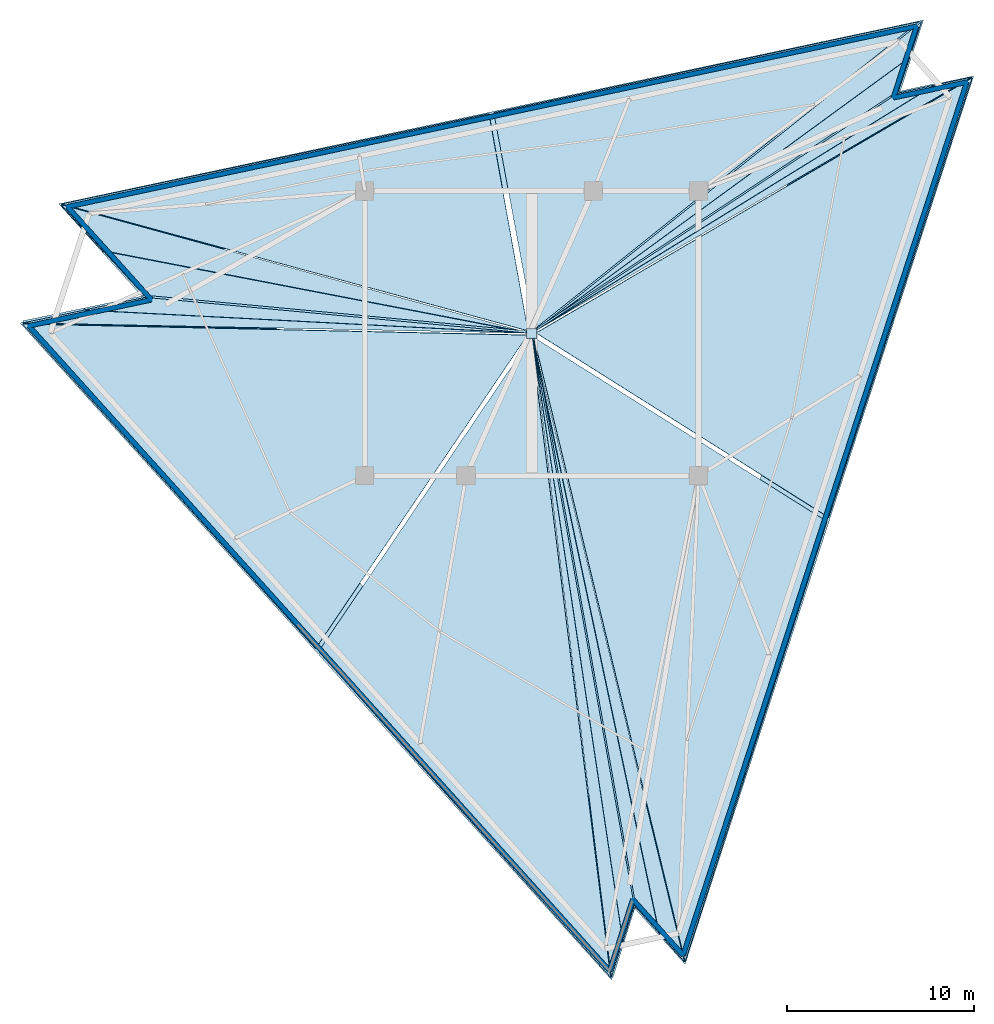
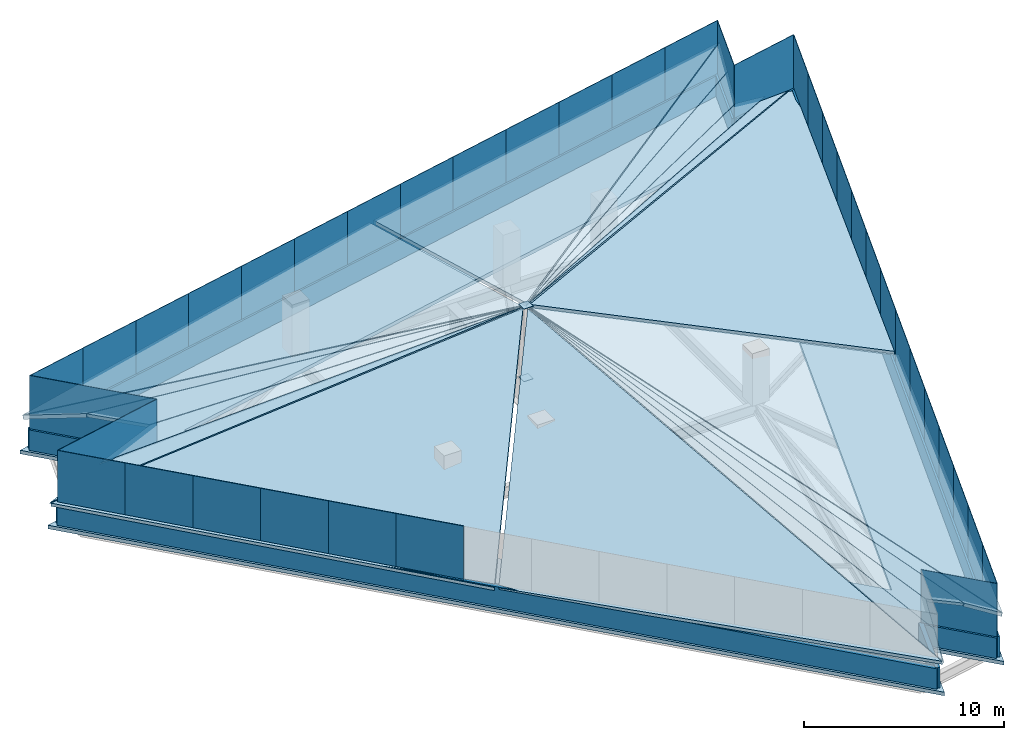
# One storey, part 2 of 2: 40 plates, 19 slabs, 9 walls.
"""IFC4 building model written with IfcOpenShell, lengths in metres."""

from ifc_helpers import new_model, si_unit, direction, frame, frame_2d, origin, origin_2d, place, context, subcontext, project, spatial, polyline, rectangle, outline, extrude, material, layer, layer_set, type_object, element, save


model = new_model("IFC4")

# Units and contexts
model_context = context("Model", 3, precision=1e-05, world=origin(), true_north=direction((0.0, 1.0)))
body_context = subcontext(model_context, "Body", "Model", "MODEL_VIEW")
ifc_project = project(units=[si_unit("LENGTHUNIT", "METRE"), si_unit("AREAUNIT", "SQUARE_METRE"), si_unit("VOLUMEUNIT", "CUBIC_METRE"), si_unit("PLANEANGLEUNIT", "RADIAN"), si_unit("MASSUNIT", "GRAM", prefix="KILO")], contexts=[model_context])

# Site, building, storey
site_placement = place(None, origin())
site = spatial("IfcSite", under=ifc_project, at=site_placement, CompositionType="ELEMENT")
building_placement = place(site_placement, origin())
building = spatial("IfcBuilding", under=site, at=building_placement, Name="Tharavind Bronze Gate", CompositionType="ELEMENT")
storey_placement = place(building_placement, frame((0.0, 0.0, 316.25)))
storey = spatial("IfcBuildingStorey", under=building, at=storey_placement, Name="RF", CompositionType="ELEMENT", Elevation=316.25)

# Plates
ifc_material_1 = material(Name="Perforated Bronze Alloy", Category="bronze")
ifc_layer_1 = layer(ifc_material_1, 0.011962890625)
ifc_layer_set_1 = layer_set([ifc_layer_1], Name="Perforated Bronze Alloy")
plate_type_1 = type_object("IfcPlateType", Name="BRONZE PERFORATED SOLAR SCREEN", PredefinedType="USERDEFINED", material=ifc_layer_set_1)
for number, where, z_axis, x_axis, name in (
    (1, (-22.52099609375, 4.2734375, 0.39990234375), (0.0, 0.0, 1.0), (0.66913190339, -0.743143657623, 0.0), "RF crown bronze lantern screen 1.1"),
    (2, (-23.552978515625, 1.096923828125, 0.39990234375), (0.0, 0.0, 1.0), (-0.978149052207, -0.207904862054, 0.0), "RF crown bronze lantern screen 2.1"),
):
    element("IfcPlate", number, at=place(storey_placement, frame(where, z_axis=z_axis, x_axis=x_axis)), inside=storey, type_object=plate_type_1, Name=name, ObjectType="SCREEN", PredefinedType="USERDEFINED", context=body_context, shape_type="SweptSolid", body=[
        extrude(rectangle(XDim=6.679931640625, YDim=0.028076171875, at=origin_2d()), origin(), (0.0, 0.0, 1.0), 4.10009765625),
    ])
for number, where, z_axis, x_axis, name in (
    (3, (-25.62841796875, -0.9208984375, 0.39990234375), (0.0, 0.0, 1.0), (0.669130606359, -0.743144825477, 0.0), "RF crown bronze lantern screen 3.1"),
    (4, (-23.24560546875, -3.5673828125, 0.39990234375), (0.0, 0.0, 1.0), (0.669130606359, -0.743144825477, 0.0), "RF crown bronze lantern screen 3.2"),
    (5, (-20.862548828125, -6.2138671875, 0.39990234375), (0.0, 0.0, 1.0), (0.669130606359, -0.743144825477, 0.0), "RF crown bronze lantern screen 3.3"),
    (6, (-18.479736328125, -8.8603515625, 0.39990234375), (0.0, 0.0, 1.0), (0.669130606359, -0.743144825477, 0.0), "RF crown bronze lantern screen 3.4"),
    (7, (-16.0966796875, -11.5068359375, 0.39990234375), (0.0, 0.0, 1.0), (0.669130606359, -0.743144825477, 0.0), "RF crown bronze lantern screen 3.5"),
    (8, (-13.7138671875, -14.153564453125, 0.39990234375), (0.0, 0.0, 1.0), (0.669130606359, -0.743144825477, 0.0), "RF crown bronze lantern screen 3.6"),
):
    element("IfcPlate", number, at=place(storey_placement, frame(where, z_axis=z_axis, x_axis=x_axis)), inside=storey, type_object=plate_type_1, Name=name, ObjectType="SCREEN", PredefinedType="USERDEFINED", context=body_context, shape_type="SweptSolid", body=[
        extrude(rectangle(XDim=3.561279296875, YDim=0.028076171875, at=origin_2d()), origin(), (0.0, 0.0, 1.0), 4.10009765625),
    ])
plate_placement = place(storey_placement, frame((6.73779296875, -31.679931640625, 0.39990234375), z_axis=(0.0, 0.0, 1.0), x_axis=(0.669137091495, -0.743138986183, 0.0)))
element("IfcPlate", 9, at=plate_placement, inside=storey, type_object=plate_type_1, Name="RF crown bronze lantern screen 5.1", ObjectType="SCREEN", PredefinedType="USERDEFINED", context=body_context, shape_type="SweptSolid", body=[
    extrude(rectangle(XDim=4.008056640625, YDim=0.028076171875, at=origin_2d()), origin(), (0.0, 0.0, 1.0), 4.10009765625),
])
for number, where, z_axis, x_axis, name in (
    (10, (8.619140625, -31.505859375, 0.39990234375), (0.0, 0.0, 1.0), (0.309016994375, 0.951056516295, 0.0), "RF crown bronze lantern screen 6.1"),
    (11, (9.7001953125, -28.179443359375, 0.39990234375), (0.0, 0.0, 1.0), (0.309016994375, 0.951056516295, 0.0), "RF crown bronze lantern screen 6.2"),
    (12, (10.781005859375, -24.852783203125, 0.39990234375), (0.0, 0.0, 1.0), (0.309016994375, 0.951056516295, 0.0), "RF crown bronze lantern screen 6.3"),
    (13, (11.86181640625, -21.5263671875, 0.39990234375), (0.0, 0.0, 1.0), (0.309016994375, 0.951056516295, 0.0), "RF crown bronze lantern screen 6.4"),
    (14, (12.942626953125, -18.19970703125, 0.39990234375), (0.0, 0.0, 1.0), (0.309016994375, 0.951056516295, 0.0), "RF crown bronze lantern screen 6.5"),
    (15, (14.023681640625, -14.873291015625, 0.39990234375), (0.0, 0.0, 1.0), (0.309016994375, 0.951056516295, 0.0), "RF crown bronze lantern screen 6.6"),
    (16, (15.1044921875, -11.546630859375, 0.39990234375), (0.0, 0.0, 1.0), (0.309016994375, 0.951056516295, 0.0), "RF crown bronze lantern screen 6.7"),
    (17, (16.185302734375, -8.22021484375, 0.39990234375), (0.0, 0.0, 1.0), (0.309016994375, 0.951056516295, 0.0), "RF crown bronze lantern screen 6.8"),
    (18, (17.26611328125, -4.8935546875, 0.39990234375), (0.0, 0.0, 1.0), (0.309016994375, 0.951056516295, 0.0), "RF crown bronze lantern screen 6.9"),
    (19, (18.346923828125, -1.56689453125, 0.39990234375), (0.0, 0.0, 1.0), (0.309016994375, 0.951056516295, 0.0), "RF crown bronze lantern screen 6.10"),
    (20, (19.427978515625, 1.759521484375, 0.39990234375), (0.0, 0.0, 1.0), (0.309016994375, 0.951056516295, 0.0), "RF crown bronze lantern screen 6.11"),
    (21, (20.5087890625, 5.086181640625, 0.39990234375), (0.0, 0.0, 1.0), (0.309016994375, 0.951056516295, 0.0), "RF crown bronze lantern screen 6.12"),
    (22, (21.589599609375, 8.41259765625, 0.39990234375), (0.0, 0.0, 1.0), (0.309016994375, 0.951056516295, 0.0), "RF crown bronze lantern screen 6.13"),
    (23, (22.67041015625, 11.7392578125, 0.39990234375), (0.0, 0.0, 1.0), (0.309016994375, 0.951056516295, 0.0), "RF crown bronze lantern screen 6.14"),
):
    element("IfcPlate", number, at=place(storey_placement, frame(where, z_axis=z_axis, x_axis=x_axis)), inside=storey, type_object=plate_type_1, Name=name, ObjectType="SCREEN", PredefinedType="USERDEFINED", context=body_context, shape_type="SweptSolid", body=[
        extrude(rectangle(XDim=3.497802734375, YDim=0.028076171875, at=origin_2d()), origin(), (0.0, 0.0, 1.0), 4.10009765625),
    ])
for number, where, z_axis, x_axis, name in (
    (24, (21.250732421875, 12.98583984375, 0.39990234375), (0.0, 0.0, 1.0), (-0.978147963607, -0.207909983628, 0.0), "RF crown bronze lantern screen 7.1"),
    (25, (19.909912109375, 14.47509765625, 0.39990234375), (0.0, 0.0, 1.0), (0.309003715091, 0.951060830894, 0.0), "RF crown bronze lantern screen 8.1"),
):
    element("IfcPlate", number, at=place(storey_placement, frame(where, z_axis=z_axis, x_axis=x_axis)), inside=storey, type_object=plate_type_1, Name=name, ObjectType="SCREEN", PredefinedType="USERDEFINED", context=body_context, shape_type="SweptSolid", body=[
        extrude(rectangle(XDim=4.008056640625, YDim=0.028076171875, at=origin_2d()), origin(), (0.0, 0.0, 1.0), 4.10009765625),
    ])
for number, where, z_axis, x_axis, name in (
    (26, (18.787353515625, 16.010986328125, 0.39990234375), (0.0, 0.0, 1.0), (-0.978147600734, -0.207911690818, 0.0), "RF crown bronze lantern screen 9.1"),
    (27, (15.3037109375, 15.2705078125, 0.39990234375), (0.0, 0.0, 1.0), (-0.978147600734, -0.207911690818, 0.0), "RF crown bronze lantern screen 9.2"),
    (28, (11.8203125, 14.530029296875, 0.39990234375), (0.0, 0.0, 1.0), (-0.978147600734, -0.207911690818, 0.0), "RF crown bronze lantern screen 9.3"),
    (29, (8.3369140625, 13.78955078125, 0.39990234375), (0.0, 0.0, 1.0), (-0.978147600734, -0.207911690818, 0.0), "RF crown bronze lantern screen 9.4"),
    (30, (4.853515625, 13.04931640625, 0.39990234375), (0.0, 0.0, 1.0), (-0.978147600734, -0.207911690818, 0.0), "RF crown bronze lantern screen 9.5"),
    (31, (1.3701171875, 12.30859375, 0.39990234375), (0.0, 0.0, 1.0), (-0.978147600734, -0.207911690818, 0.0), "RF crown bronze lantern screen 9.6"),
    (32, (-2.11328125, 11.568359375, 0.39990234375), (0.0, 0.0, 1.0), (-0.978147600734, -0.207911690818, 0.0), "RF crown bronze lantern screen 9.7"),
    (33, (-5.5966796875, 10.827880859375, 0.39990234375), (0.0, 0.0, 1.0), (-0.978147600734, -0.207911690818, 0.0), "RF crown bronze lantern screen 9.8"),
    (34, (-9.080322265625, 10.08740234375, 0.39990234375), (0.0, 0.0, 1.0), (-0.978147600734, -0.207911690818, 0.0), "RF crown bronze lantern screen 9.9"),
    (35, (-12.563720703125, 9.346923828125, 0.39990234375), (0.0, 0.0, 1.0), (-0.978147600734, -0.207911690818, 0.0), "RF crown bronze lantern screen 9.10"),
    (36, (-16.047119140625, 8.606689453125, 0.39990234375), (0.0, 0.0, 1.0), (-0.978147600734, -0.207911690818, 0.0), "RF crown bronze lantern screen 9.11"),
    (37, (-19.530517578125, 7.8662109375, 0.39990234375), (0.0, 0.0, 1.0), (-0.978147600734, -0.207911690818, 0.0), "RF crown bronze lantern screen 9.12"),
    (38, (-23.01416015625, 7.125732421875, 0.39990234375), (0.0, 0.0, 1.0), (-0.978147600734, -0.207911690818, 0.0), "RF crown bronze lantern screen 9.13"),
):
    element("IfcPlate", number, at=place(storey_placement, frame(where, z_axis=z_axis, x_axis=x_axis)), inside=storey, type_object=plate_type_1, Name=name, ObjectType="SCREEN", PredefinedType="USERDEFINED", context=body_context, shape_type="SweptSolid", body=[
        extrude(rectangle(XDim=3.561279296875, YDim=0.028076171875, at=origin_2d()), origin(), (0.0, 0.0, 1.0), 4.10009765625),
    ])
ifc_material_2 = material(Name="Steel S355", Category="steel")
ifc_layer_2 = layer(ifc_material_2, 0.02490234375)
ifc_layer_set_2 = layer_set([ifc_layer_2], Name="Steel S355")
plate_type_2 = type_object("IfcPlateType", Name="STEEL END CAP SHEET S355 25", PredefinedType="SHEET", material=ifc_layer_set_2)
for number, where, z_axis, x_axis, name in (
    (39, (0.0, 0.0, -0.232421875), (0.0, 0.0, 1.0), (1.0, 0.0, 0.0), "Steel end cap plate CAP-RF-APXCA"),
    (40, (0.0, 0.0, 4.20751953125), (0.0, 0.0, 1.0), (1.0, 0.0, 0.0), "Steel end cap plate CAP-RF-APXCB"),
):
    element("IfcPlate", number, at=place(storey_placement, frame(where, z_axis=z_axis, x_axis=x_axis)), inside=storey, type_object=plate_type_2, Name=name, PredefinedType="SHEET", context=body_context, shape_type="SweptSolid", body=[
        extrude(rectangle(XDim=0.544921875, YDim=0.544921875, at=origin_2d()), origin(), (0.0, 0.0, 1.0), 0.02490234375),
    ])

# Slabs
ifc_material_3 = material(Name="Concrete C40/50", Category="concrete")
ifc_layer_3 = layer(ifc_material_3, 0.219970703125)
ifc_layer_set_3 = layer_set([ifc_layer_3], Name="Concrete C40/50")
slab_type = type_object("IfcSlabType", Name="WAVE CREST ROOF SLAB 220", PredefinedType="ROOF", material=ifc_layer_set_3)
slab_1_placement = place(storey_placement, frame((0.0, 0.0, -0.219970703125)))
element("IfcSlab", 41, at=slab_1_placement, inside=storey, type_object=slab_type, Name="RF perimeter crown roof curb slab", PredefinedType="ROOF", context=body_context, shape_type="SweptSolid", body=[
    extrude(outline(polyline([(-25.231201171875, 6.909912109375), (-20.761474609375, 1.94580078125), (-27.29541015625, 0.556884765625), (4.262451171875, -34.49169921875), (5.5009765625, -30.6796875), (8.182861328125, -33.658203125), (23.58251953125, 13.737060546875), (19.662109375, 12.90380859375), (20.900634765625, 16.7158203125), (-25.231201171875, 6.909912109375)]), holes=[polyline([(14.658203125, 11.094970703125), (13.419921875, 7.283203125), (17.340087890625, 8.116455078125), (6.436279296875, -25.44189453125), (3.75439453125, -22.46337890625), (2.515869140625, -26.275146484375), (-19.306640625, -2.038818359375), (-12.772705078125, -0.64990234375), (-17.242431640625, 4.314208984375), (14.658203125, 11.094970703125)])]), origin(), (0.0, 0.0, 1.0), 0.219970703125),
])
slab_2_placement = place(storey_placement, frame((-0.233154296875, 0.0546875, 4.18359375), z_axis=(0.007915215347, 0.317098176686, 0.948359686885), x_axis=(-0.96139593173, 0.263280505319, -0.080007736947)))
element("IfcSlab", 42, at=slab_2_placement, inside=storey, type_object=slab_type, Name="RF wave crest canopy roof facet 01", PredefinedType="ROOF", context=body_context, shape_type="SweptSolid", body=[
    extrude(outline(polyline([(0.0, 0.0), (25.85504345645657, -5.551115123125783e-16), (22.990208642521996, 1.8589763958864596), (0.0, 0.0)])), origin(), (0.0, 0.0, -1.0), 0.219970703125),
])
slab_3_placement = place(storey_placement, frame((-0.237060546875, 0.034423828125, 4.186279296875), z_axis=(-0.064509992346, -0.04489531564, 0.996906651358), x_axis=(-0.980484555437, 0.188761535972, -0.054946511144)))
element("IfcSlab", 43, at=slab_3_placement, inside=storey, type_object=slab_type, Name="RF wave crest canopy roof facet 02", PredefinedType="ROOF", context=body_context, shape_type="SweptSolid", body=[
    extrude(outline(polyline([(0.0, 0.0), (23.064867231560378, 2.7755575615628914e-17), (20.406461276492514, 1.9736911738115093), (0.0, 0.0)])), origin(), (0.0, 0.0, -1.0), 0.219970703125),
])
slab_4_placement = place(storey_placement, frame((-0.23876953125, 0.01708984375, 4.1826171875), z_axis=(-0.098832310225, -0.49875553391, 0.861089479584), x_axis=(-0.993845277825, 0.092984685327, -0.060211394597)))
element("IfcSlab", 44, at=slab_4_placement, inside=storey, type_object=slab_type, Name="RF wave crest canopy roof facet 03", PredefinedType="ROOF", context=body_context, shape_type="SweptSolid", body=[
    extrude(outline(polyline([(0.0, 0.0), (20.500687756282865, 0.0), (23.73004386386756, 1.131813393310788), (0.0, 0.0)])), origin(), (0.0, 0.0, -1.0), 0.219970703125),
])
slab_5_placement = place(storey_placement, frame((-0.23876953125, 0.00830078125, 4.17724609375), z_axis=(-0.098831971677, -0.544525194442, 0.832901287064), x_axis=(-0.995100217663, 0.051732221742, -0.0842575459)))
element("IfcSlab", 45, at=slab_5_placement, inside=storey, type_object=slab_type, Name="RF wave crest canopy roof facet 04", PredefinedType="ROOF", context=body_context, shape_type="SweptSolid", body=[
    extrude(outline(polyline([(0.0, 0.0), (23.757029272413888, 2.220446049250313e-16), (27.043054253825492, 1.014971412063449), (0.0, 0.0)])), origin(), (0.0, 0.0, -1.0), 0.219970703125),
])
slab_6_placement = place(storey_placement, frame((-0.218994140625, -0.092529296875, 4.1669921875), z_axis=(-0.106257937244, -0.102742221297, 0.989016322785), x_axis=(-0.994279382681, 0.02183377691, -0.104555226366)))
element("IfcSlab", 46, at=slab_6_placement, inside=storey, type_object=slab_type, Name="RF wave crest canopy roof facet 05", PredefinedType="ROOF", context=body_context, shape_type="SweptSolid", body=[
    extrude(outline(polyline([(0.0, 0.0), (27.093467924328237, -1.1102230246251565e-16), (11.19477007738922, 17.065386158451624), (0.0, 0.0)])), origin(), (0.0, 0.0, -1.0), 0.219970703125),
])
slab_7_placement = place(storey_placement, frame((-0.033203125, -0.236328125, 4.17529296875), z_axis=(-0.132659355143, -0.08455110993, 0.98754878629), x_axis=(-0.55490866287, -0.819233410955, -0.144682390937)))
element("IfcSlab", 47, at=slab_7_placement, inside=storey, type_object=slab_type, Name="RF wave crest canopy roof facet 06", PredefinedType="ROOF", context=body_context, shape_type="SweptSolid", body=[
    extrude(outline(polyline([(0.0, 0.0), (20.426274728276248, -6.38378239159465e-16), (25.93494322818575, 22.688414584216066), (0.0, 0.0)])), origin(), (0.0, 0.0, -1.0), 0.219970703125),
])
slab_8_placement = place(storey_placement, frame((0.032470703125, -0.2373046875, 4.185302734375), z_axis=(-0.456770385743, -0.117303670402, 0.881816683681), x_axis=(0.122369948298, -0.990129875323, -0.068325879038)))
element("IfcSlab", 48, at=slab_8_placement, inside=storey, type_object=slab_type, Name="RF wave crest canopy roof facet 07", PredefinedType="ROOF", context=body_context, shape_type="SweptSolid", body=[
    extrude(outline(polyline([(0.0, 0.0), (34.44544963242663, -6.661338147750939e-16), (32.595249760209164, 0.9465990804553644), (0.0, 0.0)])), origin(), (0.0, 0.0, -1.0), 0.219970703125),
])
slab_9_placement = place(storey_placement, frame((0.038818359375, -0.236572265625, 4.188232421875), z_axis=(-0.368612568897, -0.106403070771, 0.923473421698), x_axis=(0.147950134132, -0.987479734884, -0.0547223081)))
element("IfcSlab", 49, at=slab_9_placement, inside=storey, type_object=slab_type, Name="RF wave crest canopy roof facet 08", PredefinedType="ROOF", context=body_context, shape_type="SweptSolid", body=[
    extrude(outline(polyline([(0.0, 0.0), (32.60870913660593, -7.771561172376096e-16), (30.793210112740805, 0.9534883977461507), (0.0, 0.0)])), origin(), (0.0, 0.0, -1.0), 0.219970703125),
])
slab_10_placement = place(storey_placement, frame((0.046142578125, -0.2353515625, 4.190673828125), z_axis=(-0.22906161104, -0.08340226716, 0.969832377362), x_axis=(0.176370028993, -0.983388120408, -0.042911740969)))
element("IfcSlab", 50, at=slab_10_placement, inside=storey, type_object=slab_type, Name="RF wave crest canopy roof facet 09", PredefinedType="ROOF", context=body_context, shape_type="SweptSolid", body=[
    extrude(outline(polyline([(0.0, 0.0), (30.80792003623852, -1.0547118733938987e-15), (32.50088123096201, 1.0739286781168425), (0.0, 0.0)])), origin(), (0.0, 0.0, -1.0), 0.219970703125),
])
slab_11_placement = place(storey_placement, frame((0.053466796875, -0.23388671875, 4.19140625), z_axis=(0.102181488201, -0.013841240884, 0.994669474509), x_axis=(0.207933337397, -0.977517923014, -0.034963372049)))
element("IfcSlab", 51, at=slab_11_placement, inside=storey, type_object=slab_type, Name="RF wave crest canopy roof facet 10", PredefinedType="ROOF", context=body_context, shape_type="SweptSolid", body=[
    extrude(outline(polyline([(0.0, 0.0), (32.51868524132534, -1.3877787807814457e-17), (34.25903466657927, 0.9935251274602628), (0.0, 0.0)])), origin(), (0.0, 0.0, -1.0), 0.219970703125),
])
slab_12_placement = place(storey_placement, frame((0.115478515625, -0.20947265625, 4.181884765625), z_axis=(0.150969520561, -0.00172809255, 0.988536907534), x_axis=(0.235253440772, -0.971205499538, -0.037625739483)))
element("IfcSlab", 52, at=slab_12_placement, inside=storey, type_object=slab_type, Name="RF wave crest canopy roof facet 11", PredefinedType="ROOF", context=body_context, shape_type="SweptSolid", body=[
    extrude(outline(polyline([(0.0, 0.0), (34.28607863199977, 5.551115123125783e-16), (13.312555799101636, 13.026100213400387), (0.0, 0.0)])), origin(), (0.0, 0.0, -1.0), 0.219970703125),
])
slab_13_placement = place(storey_placement, frame((0.23681640625, 0.022705078125, 4.1669921875), z_axis=(0.139472235533, -0.020421545576, 0.990015381695), x_axis=(0.838930123431, -0.528707041817, -0.129093423279)))
element("IfcSlab", 53, at=slab_13_placement, inside=storey, type_object=slab_type, Name="RF wave crest canopy roof facet 12", PredefinedType="ROOF", context=body_context, shape_type="SweptSolid", body=[
    extrude(outline(polyline([(0.0, 0.0), (18.607451474816983, 3.802513859341161e-15), (12.701329724226204, 23.940468050489663), (0.0, 0.0)])), origin(), (0.0, 0.0, -1.0), 0.219970703125),
])
slab_14_placement = place(storey_placement, frame((0.20458984375, 0.12255859375, 4.173583984375), z_axis=(0.129617717943, -0.003155593359, 0.991559019638), x_axis=(0.858775809352, 0.500256614742, -0.110668101453)))
element("IfcSlab", 54, at=slab_14_placement, inside=storey, type_object=slab_type, Name="RF wave crest canopy roof facet 13", PredefinedType="ROOF", context=body_context, shape_type="SweptSolid", body=[
    extrude(outline(polyline([(0.0, 0.0), (27.070579236850854, -2.7755575615628914e-16), (25.150776400911447, 0.6171455119513382), (0.0, 0.0)])), origin(), (0.0, 0.0, -1.0), 0.219970703125),
])
slab_15_placement = place(storey_placement, frame((0.201416015625, 0.1279296875, 4.17529296875), z_axis=(0.296141165598, -0.2905314253, 0.909885652679), x_axis=(0.846324964252, 0.521402088327, -0.108967505115)))
element("IfcSlab", 55, at=slab_15_placement, inside=storey, type_object=slab_type, Name="RF wave crest canopy roof facet 14", PredefinedType="ROOF", context=body_context, shape_type="SweptSolid", body=[
    extrude(outline(polyline([(0.0, 0.0), (25.15846421584784, 6.661338147750939e-16), (23.227313068945865, 0.7215592818601866), (0.0, 0.0)])), origin(), (0.0, 0.0, -1.0), 0.219970703125),
])
slab_16_placement = place(storey_placement, frame((0.196533203125, 0.136474609375, 4.180419921875), z_axis=(0.342840469592, -0.369887625229, 0.863506547232), x_axis=(0.832091257617, 0.54619679158, -0.09640126485)))
element("IfcSlab", 56, at=slab_16_placement, inside=storey, type_object=slab_type, Name="RF wave crest canopy roof facet 15", PredefinedType="ROOF", context=body_context, shape_type="SweptSolid", body=[
    extrude(outline(polyline([(0.0, 0.0), (23.238640888077587, -8.881784197001252e-16), (24.740541331767673, 1.4188838127467414), (0.0, 0.0)])), origin(), (0.0, 0.0, -1.0), 0.219970703125),
])
slab_17_placement = place(storey_placement, frame((0.190185546875, 0.1455078125, 4.186279296875), z_axis=(0.294958138834, -0.299229414935, 0.907447769061), x_axis=(0.805693725667, 0.588433647262, -0.067848826009)))
element("IfcSlab", 57, at=slab_17_placement, inside=storey, type_object=slab_type, Name="RF wave crest canopy roof facet 16", PredefinedType="ROOF", context=body_context, shape_type="SweptSolid", body=[
    extrude(outline(polyline([(0.0, 0.0), (24.78151182971998, 7.771561172376096e-16), (26.37329569639446, 1.2690530620732736), (0.0, 0.0)])), origin(), (0.0, 0.0, -1.0), 0.219970703125),
])
slab_18_placement = place(storey_placement, frame((0.13134765625, 0.2001953125, 4.182373046875), z_axis=(-0.019046906705, 0.100065456285, 0.994798532268), x_axis=(0.781061599293, 0.622631404566, -0.047675068513)))
element("IfcSlab", 58, at=slab_18_placement, inside=storey, type_object=slab_type, Name="RF wave crest canopy roof facet 17", PredefinedType="ROOF", context=body_context, shape_type="SweptSolid", body=[
    extrude(outline(polyline([(0.0, 0.0), (26.4188709874899, -1.8041124150158794e-16), (5.582062798961713, 10.433611267609873), (0.0, 0.0)])), origin(), (0.0, 0.0, -1.0), 0.219970703125),
])
slab_19_placement = place(storey_placement, frame((-0.197265625, 0.134765625, 4.176025390625), z_axis=(-0.057273144212, 0.092970347467, 0.994020272149), x_axis=(-0.176237586577, 0.979077068903, -0.101727116476)))
element("IfcSlab", 59, at=slab_19_placement, inside=storey, type_object=slab_type, Name="RF wave crest canopy roof facet 18", PredefinedType="ROOF", context=body_context, shape_type="SweptSolid", body=[
    extrude(outline(polyline([(0.0, 0.0), (11.831784119517186, 3.122502256758253e-16), (11.223261979376641, 23.310293772595283), (0.0, 0.0)])), origin(), (0.0, 0.0, -1.0), 0.219970703125),
])

# Walls
ifc_layer_4 = layer(ifc_material_3, 0.25)
ifc_layer_set_4 = layer_set([ifc_layer_4], Name="Concrete C40/50")
wall_type = type_object("IfcWallType", Name="ROOF PARAPET WALL 250", PredefinedType="PARAPET", material=ifc_layer_set_4)
for number, where, z_axis, x_axis, name in (
    (60, (-24.755859375, 6.755615234375, 0.0), (0.0, 0.0, 1.0), (0.669134323402, -0.74314147862, 0.0), "RF crown perimeter parapet wall 01"),
    (61, (-20.285888671875, 1.791259765625, 0.0), (0.0, 0.0, 1.0), (-0.978154020652, -0.207881485184, 0.0), "RF crown perimeter parapet wall 02"),
):
    element("IfcWall", number, at=place(storey_placement, frame(where, z_axis=z_axis, x_axis=x_axis)), inside=storey, type_object=wall_type, Name=name, PredefinedType="PARAPET", context=body_context, shape_type="SweptSolid", body=[
        extrude(rectangle(XDim=6.68017578125, YDim=0.25, at=frame_2d((3.340087890625, 0.0))), origin(), (0.0, 0.0, 1.0), 1.25),
    ])
wall_1_placement = place(storey_placement, frame((-26.820068359375, 0.402587890625, 0.0), z_axis=(0.0, 0.0, 1.0), x_axis=(0.669131657311, -0.743143879195, 0.0)))
element("IfcWall", 62, at=wall_1_placement, inside=storey, type_object=wall_type, Name="RF crown perimeter parapet wall 03", PredefinedType="PARAPET", context=body_context, shape_type="SweptSolid", body=[
    extrude(rectangle(XDim=46.296630859375, YDim=0.25, at=frame_2d((23.1484375, 0.0))), origin(), (0.0, 0.0, 1.0), 1.25),
])
wall_2_placement = place(storey_placement, frame((4.158447265625, -34.00244140625, 0.0), z_axis=(0.0, 0.0, 1.0), x_axis=(0.309018580232, 0.951056001018, 0.0)))
element("IfcWall", 63, at=wall_2_placement, inside=storey, type_object=wall_type, Name="RF crown perimeter parapet wall 04", PredefinedType="PARAPET", context=body_context, shape_type="SweptSolid", body=[
    extrude(rectangle(XDim=4.0078125, YDim=0.25, at=frame_2d((2.00390625, 0.0))), origin(), (0.0, 0.0, 1.0), 1.25),
])
wall_3_placement = place(storey_placement, frame((5.39697265625, -30.190673828125, 0.0), z_axis=(0.0, 0.0, 1.0), x_axis=(0.669132983361, -0.743142685208, 0.0)))
element("IfcWall", 64, at=wall_3_placement, inside=storey, type_object=wall_type, Name="RF crown perimeter parapet wall 05", PredefinedType="PARAPET", context=body_context, shape_type="SweptSolid", body=[
    extrude(rectangle(XDim=4.008056640625, YDim=0.25, at=frame_2d((2.00390625, 0.0))), origin(), (0.0, 0.0, 1.0), 1.25),
])
wall_4_placement = place(storey_placement, frame((8.078857421875, -33.169189453125, 0.0), z_axis=(0.0, 0.0, 1.0), x_axis=(0.309016852711, 0.951056562325, 0.0)))
element("IfcWall", 65, at=wall_4_placement, inside=storey, type_object=wall_type, Name="RF crown perimeter parapet wall 06", PredefinedType="PARAPET", context=body_context, shape_type="SweptSolid", body=[
    extrude(rectangle(XDim=48.968505859375, YDim=0.25, at=frame_2d((24.484375, 0.0))), origin(), (0.0, 0.0, 1.0), 1.25),
])
for number, where, z_axis, x_axis, name in (
    (66, (23.2109375, 13.402587890625, 0.0), (0.0, 0.0, 1.0), (-0.978138101629, -0.207956375574, 0.0), "RF crown perimeter parapet wall 07"),
    (67, (19.29052734375, 12.569091796875, 0.0), (0.0, 0.0, 1.0), (0.309000678849, 0.951061817376, 0.0), "RF crown perimeter parapet wall 08"),
):
    element("IfcWall", number, at=place(storey_placement, frame(where, z_axis=z_axis, x_axis=x_axis)), inside=storey, type_object=wall_type, Name=name, PredefinedType="PARAPET", context=body_context, shape_type="SweptSolid", body=[
        extrude(rectangle(XDim=4.008056640625, YDim=0.25, at=frame_2d((2.00390625, 0.0))), origin(), (0.0, 0.0, 1.0), 1.25),
    ])
wall_5_placement = place(storey_placement, frame((20.529052734375, 16.381103515625, 0.0), z_axis=(0.0, 0.0, 1.0), x_axis=(-0.978148114382, -0.207909274276, 0.0)))
element("IfcWall", 68, at=wall_5_placement, inside=storey, type_object=wall_type, Name="RF crown perimeter parapet wall 09", PredefinedType="PARAPET", context=body_context, shape_type="SweptSolid", body=[
    extrude(rectangle(XDim=46.296630859375, YDim=0.25, at=frame_2d((23.1484375, 0.0))), origin(), (0.0, 0.0, 1.0), 1.25),
])

save(model, "model.ifc")
